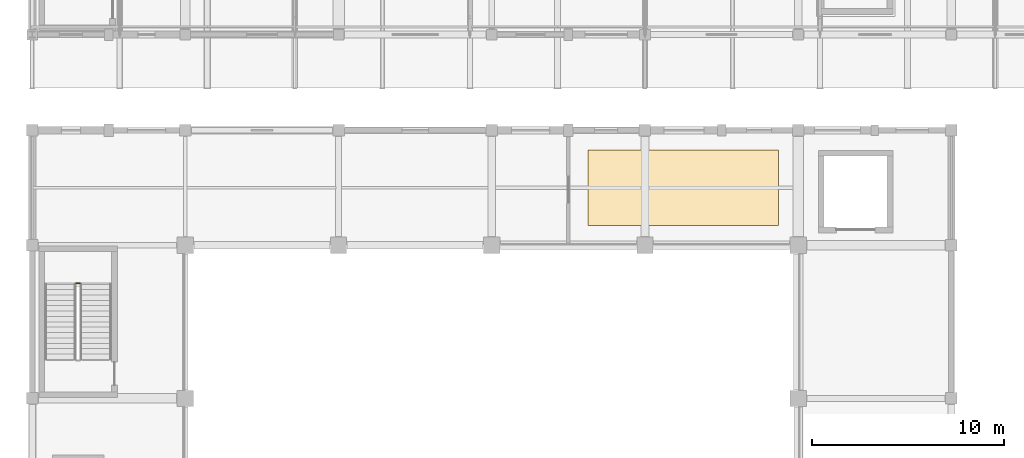
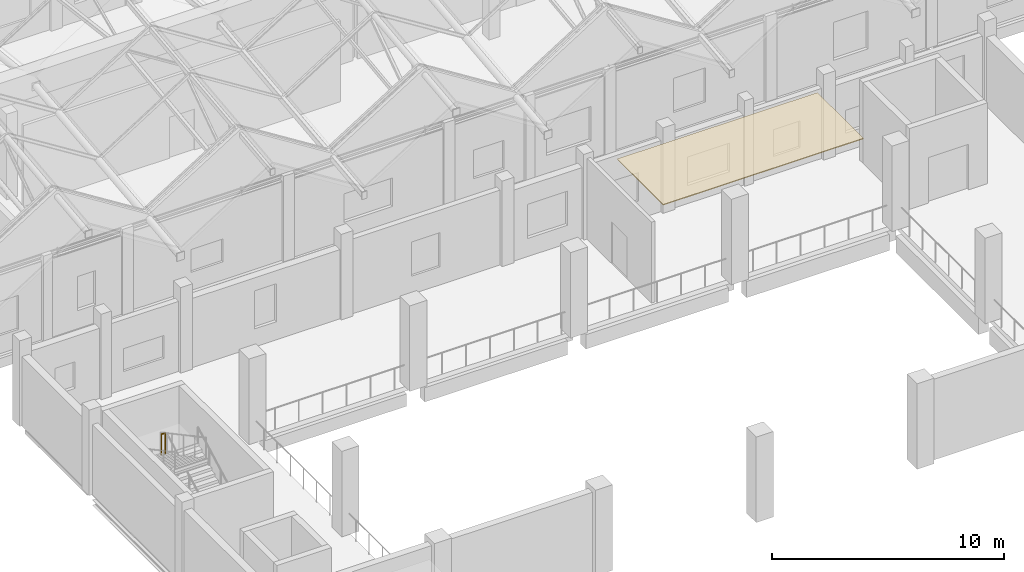
# One storey, part 175 of 183: 1 covering, 1 railing.
"""IFC4 building model written with IfcOpenShell, lengths in metres."""

from ifc_helpers import new_model, si_unit, direction, frame, origin, origin_2d, place, context, subcontext, project, spatial, polyline, circle, outline, extrude, material, layer, layer_set, type_object, element, save


model = new_model("IFC4")

# Units and contexts
model_context = context("Model", 3, precision=1e-05, world=origin(), true_north=direction((0.0, 1.0)))
body_context = subcontext(model_context, "Body", "Model", "MODEL_VIEW")
ifc_project = project(units=[si_unit("LENGTHUNIT", "METRE"), si_unit("AREAUNIT", "SQUARE_METRE"), si_unit("VOLUMEUNIT", "CUBIC_METRE"), si_unit("PLANEANGLEUNIT", "RADIAN"), si_unit("MASSUNIT", "GRAM", prefix="KILO")], contexts=[model_context])

# Site, building, storey
site_placement = place(None, origin())
site = spatial("IfcSite", under=ifc_project, at=site_placement, CompositionType="ELEMENT")
building_placement = place(site_placement, origin())
building = spatial("IfcBuilding", under=site, at=building_placement, Name="Luwemba Playhouse", CompositionType="ELEMENT")
storey_placement = place(building_placement, frame((0.0, 0.0, 4.800048828125)))
storey = spatial("IfcBuildingStorey", under=building, at=storey_placement, Name="L01", CompositionType="ELEMENT", Elevation=4.800048828125)

# Covering
ifc_material_1 = material(Name="Perforated acoustic gypsum and timber baffle ceiling", Category="wood")
ifc_layer = layer(ifc_material_1, 0.044921875)
ifc_layer_set = layer_set([ifc_layer], Name="Perforated acoustic gypsum and timber baffle ceiling")
covering_type = type_object("IfcCoveringType", Name="COV-CEIL-AC", PredefinedType="CEILING", material=ifc_layer_set)
covering_placement = place(storey_placement, frame((0.0, 0.0, 4.204833984375)))
element("IfcCovering", 1, at=covering_placement, inside=storey, type_object=covering_type, Name="L01 Stage Lighting Dimmer Gallery acoustic ceiling cloud", PredefinedType="CEILING", context=body_context, shape_type="SweptSolid", body=[
    extrude(outline(polyline([(33.02001953125, 85.02001953125), (42.97998046875, 85.02001953125), (42.97998046875, 88.97998046875), (33.02001953125, 88.97998046875), (33.02001953125, 85.02001953125)])), origin(), (0.0, 0.0, 1.0), 0.045166015625),
])

# Railing
ifc_material_2 = material(Name="Painted wrought-iron gallery balustrade", Category="steel")
railing_type = type_object("IfcRailingType", Name="RLG-BAL-INT", PredefinedType="BALUSTRADE", material=ifc_material_2)
railing_placement = place(storey_placement, frame((6.5, 82.010009765625, 2.25)))
element("IfcRailing", 2, at=railing_placement, inside=storey, type_object=railing_type, Name="L01 ST-03 stair guard 2", PredefinedType="BALUSTRADE", context=body_context, shape_type="SweptSolid", body=[
    extrude(circle(Radius=0.02392578125, at=origin_2d()), frame((0.0, 0.0, 1.09619140625), z_axis=(-1.0, 0.0, 0.0), x_axis=(0.0, -1.0, 0.0)), (0.0, 0.0, 1.0), 0.199951171875),
    extrude(circle(Radius=0.02099609375, at=origin_2d()), origin(), (0.0, 0.0, 1.0), 1.072021484375),
    extrude(circle(Radius=0.02099609375, at=origin_2d()), frame((-0.199951171875, 0.0, 0.0)), (0.0, 0.0, 1.0), 1.072021484375),
])

save(model, "model.ifc")
